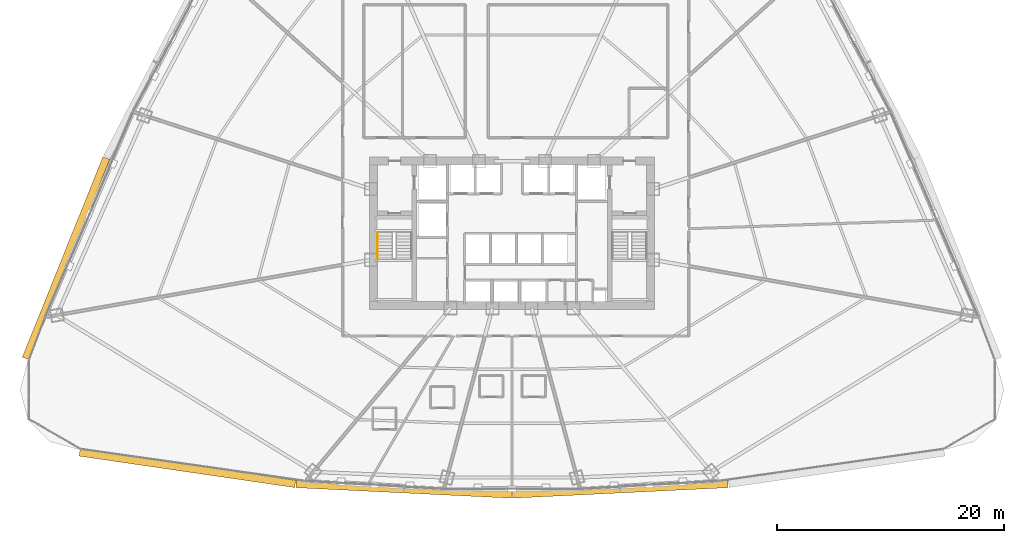
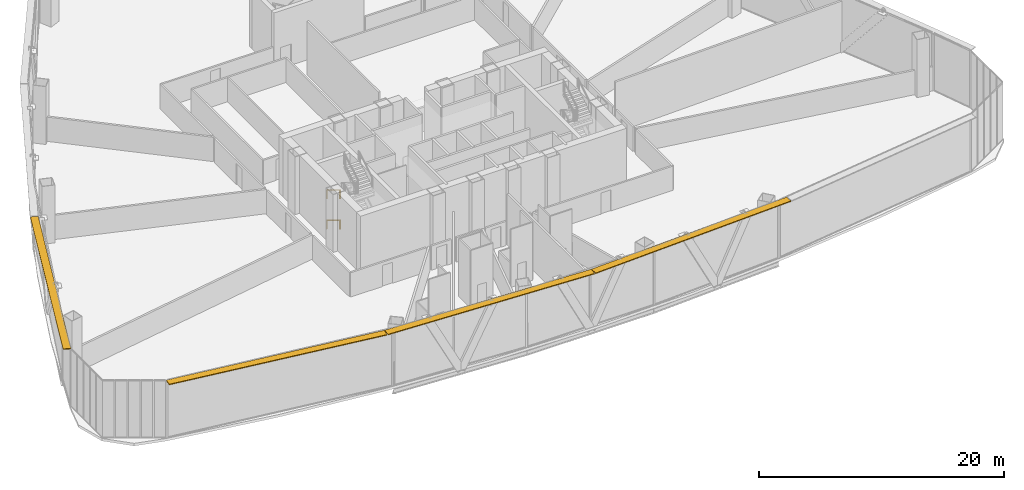
# One storey, part 38 of 41: 4 shading devices, 2 railings.
"""IFC4 building model written with IfcOpenShell, lengths in metres."""

from ifc_helpers import new_model, si_unit, direction, frame, origin, origin_2d, place, context, subcontext, project, spatial, rectangle, extrude, source, transform, mapped, material, layer, layer_set, type_object, element, save


model = new_model("IFC4")

# Units and contexts
model_context = context("Model", 3, precision=1e-05, world=origin(), true_north=direction((0.0, 1.0)))
body_context = subcontext(model_context, "Body", "Model", "MODEL_VIEW")
ifc_project = project(units=[si_unit("LENGTHUNIT", "METRE"), si_unit("AREAUNIT", "SQUARE_METRE"), si_unit("VOLUMEUNIT", "CUBIC_METRE"), si_unit("PLANEANGLEUNIT", "RADIAN"), si_unit("MASSUNIT", "GRAM", prefix="KILO"), si_unit("THERMODYNAMICTEMPERATUREUNIT", "KELVIN"), si_unit("POWERUNIT", "WATT")], contexts=[model_context])

# Site, building, storey
site_placement = place(None, origin())
site = spatial("IfcSite", under=ifc_project, at=site_placement, CompositionType="ELEMENT")
building_placement = place(site_placement, origin())
building = spatial("IfcBuilding", under=site, at=building_placement, Name="Yunzhuo Pagoda Commons", CompositionType="ELEMENT")
storey_placement = place(building_placement, frame((0.0, 0.0, 70.330078125)))
storey = spatial("IfcBuildingStorey", under=building, at=storey_placement, Name="L18", CompositionType="ELEMENT", Elevation=70.330078125)

# Railings
ifc_material = material(Name="Anodized aluminium 6063-T6", Category="aluminium")
railing_type = type_object("IfcRailingType", Name="HR-ST1 Stair Handrail 900", PredefinedType="HANDRAIL", material=ifc_material)
for number, where, name in (
    (1, (36.14990234375, 33.89990234375, 0.16796875), "L18 ST1 stair handrail 1"),
    (2, (36.14990234375, 33.89990234375, 3.19287109375), "L18 ST1 stair handrail 3"),
):
    element("IfcRailing", number, at=place(storey_placement, frame(where)), inside=storey, type_object=railing_type, Name=name, PredefinedType="HANDRAIL", context=body_context, shape_type="SweptSolid", body=[
        extrude(rectangle(XDim=0.048095703125, YDim=0.048095703125, at=origin_2d()), frame((0.0, 0.0, 0.8759765625), z_axis=(0.0, -0.857410458173, 0.514633176366), x_axis=(1.0, 0.0, 0.0)), (0.0, 0.0, 1.0), 2.612548828125),
        extrude(rectangle(XDim=0.0419921875, YDim=0.0419921875, at=origin_2d()), origin(), (0.0, 0.0, 1.0), 0.851806640625),
        extrude(rectangle(XDim=0.0419921875, YDim=0.0419921875, at=origin_2d()), frame((0.0, -2.057861328125, 1.235107421875)), (0.0, 0.0, 1.0), 0.851806640625),
        extrude(rectangle(XDim=0.0419921875, YDim=0.0419921875, at=origin_2d()), frame((0.0, -2.239990234375, 1.344482421875)), (0.0, 0.0, 1.0), 0.851806640625),
    ])

# Shading devices
ifc_layer = layer(ifc_material, 0.080078125)
ifc_layer_set = layer_set([ifc_layer], Name="Anodized aluminium 6063-T6")
shading_device_type = type_object("IfcShadingDeviceType", Name="SH-SUN1 Pagoda Horizontal Sunshade Eave 650", PredefinedType="USERDEFINED", material=ifc_layer_set)
shared_shape_1 = source(origin(), body_context, "Body", "SweptSolid", [
    extrude(rectangle(XDim=19.1787109375, YDim=0.64990234375, at=origin_2d()), origin(), (0.0, 0.0, 1.0), 0.080078125),
])
shading_device_1_placement = place(storey_placement, frame((19.439697265625, 13.1708984375, 5.68994140625), z_axis=(0.0, 0.0, 1.0), x_axis=(0.989510666697, -0.144459823108, 0.0)))
element("IfcShadingDevice", 3, at=shading_device_1_placement, inside=storey, type_object=shading_device_type, Name="L18 horizontal pagoda sunshade eave F1.1", ObjectType="SUNSHADE", PredefinedType="USERDEFINED", context=body_context, shape_type="MappedRepresentation", body=[
    mapped(shared_shape_1, transform((0.0, 0.0, 0.0), scale=1.0)),
])
shared_shape_2 = source(origin(), body_context, "Body", "SweptSolid", [
    extrude(rectangle(XDim=18.999755859375, YDim=0.64990234375, at=origin_2d()), origin(), (0.0, 0.0, 1.0), 0.080078125),
])
for number, where, z_axis, x_axis, name in (
    (4, (38.479736328125, 11.31787109375, 5.68994140625), (0.0, 0.0, 1.0), (0.998818043775, -0.04860571396, 0.0), "L18 horizontal pagoda sunshade eave F1.2"),
    (5, (57.520263671875, 11.31787109375, 5.68994140625), (0.0, 0.0, 1.0), (0.998818043775, 0.04860571396, 0.0), "L18 horizontal pagoda sunshade eave F1.3"),
):
    element("IfcShadingDevice", number, at=place(storey_placement, frame(where, z_axis=z_axis, x_axis=x_axis)), inside=storey, type_object=shading_device_type, Name=name, ObjectType="SUNSHADE", PredefinedType="USERDEFINED", context=body_context, shape_type="MappedRepresentation", body=[
        mapped(shared_shape_2, transform((0.0, 0.0, 0.0), scale=1.0)),
    ])
shared_shape_3 = source(origin(), body_context, "Body", "SweptSolid", [
    extrude(rectangle(XDim=19.0244140625, YDim=0.64990234375, at=origin_2d()), origin(), (0.0, 0.0, 1.0), 0.080078125),
])
shading_device_2_placement = place(storey_placement, frame((8.755615234375, 31.642333984375, 5.68994140625), z_axis=(0.0, 0.0, 1.0), x_axis=(-0.372987782576, -0.927836253899, 0.0)))
element("IfcShadingDevice", 6, at=shading_device_2_placement, inside=storey, type_object=shading_device_type, Name="L18 horizontal pagoda sunshade eave F3.4", ObjectType="SUNSHADE", PredefinedType="USERDEFINED", context=body_context, shape_type="MappedRepresentation", body=[
    mapped(shared_shape_3, transform((0.0, 0.0, 0.0), scale=1.0)),
])

save(model, "model.ifc")
